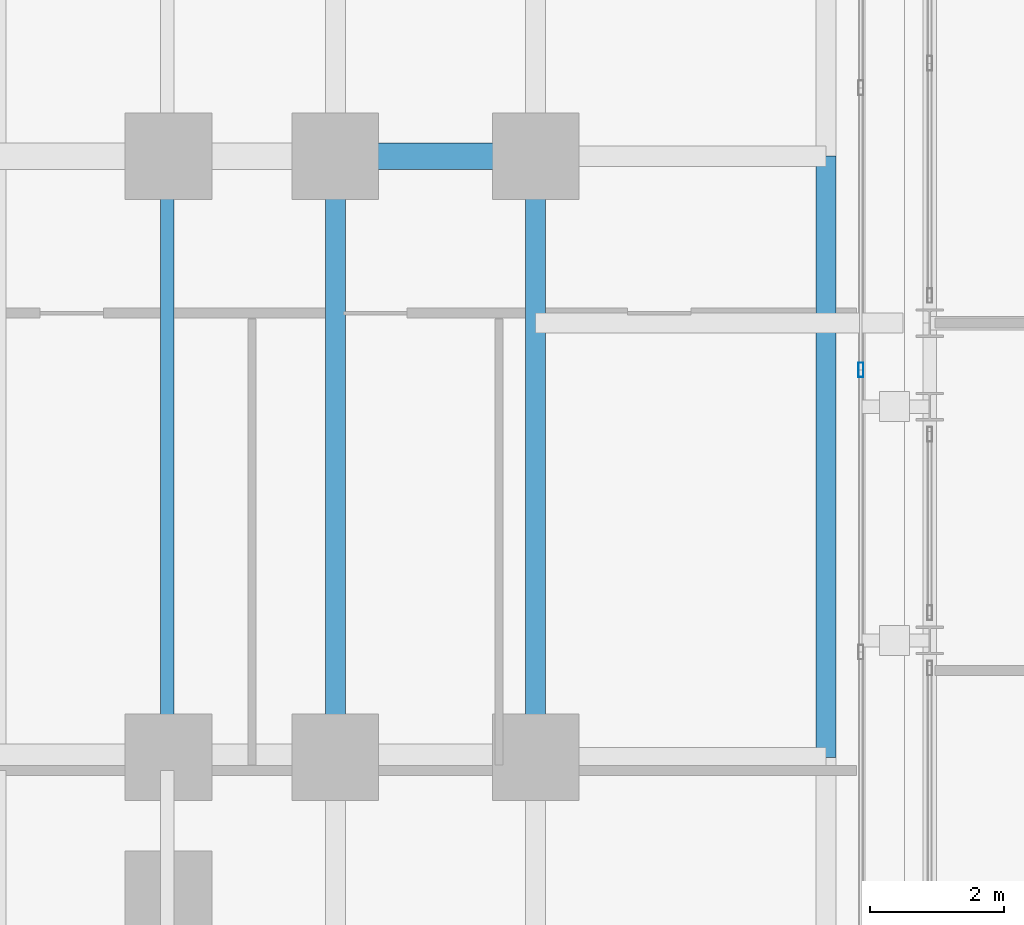
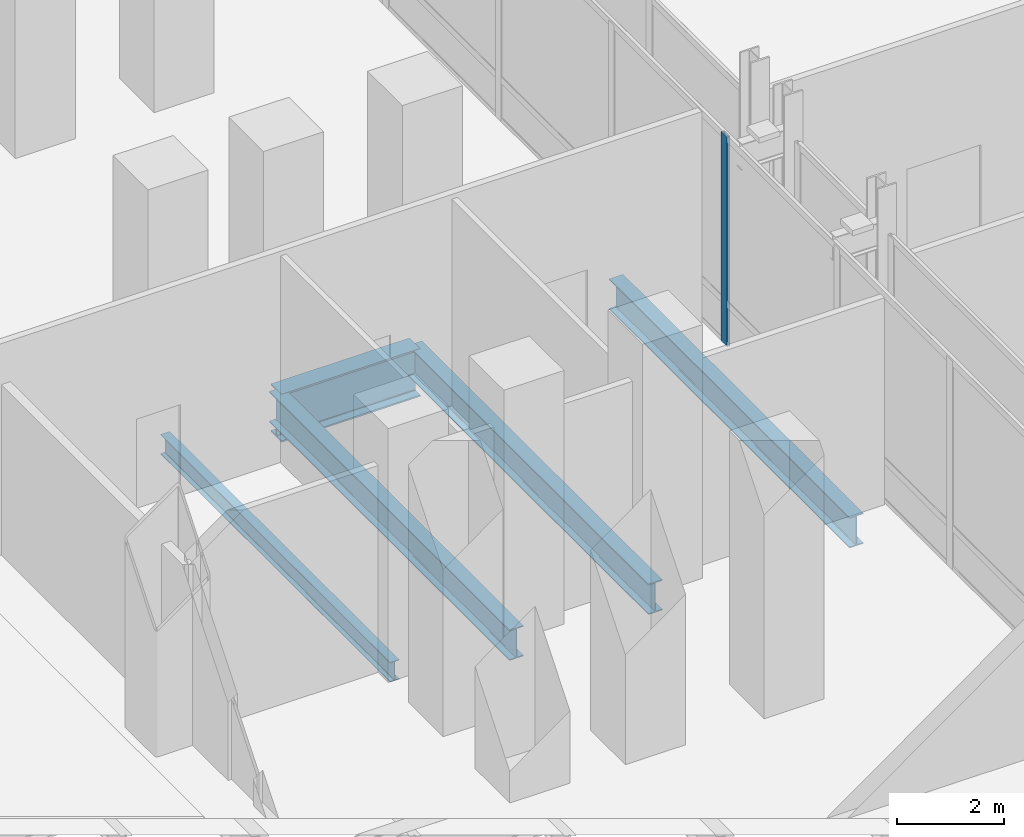
# One storey, part 12 of 36: 5 beams, 1 member, 1 element without a shape of its own.
"""IFC4 building model written with IfcOpenShell, lengths in metres."""

from ifc_helpers import new_model, si_unit, direction, frame, origin, origin_2d, place, context, subcontext, project, spatial, hollow_rectangle, i_section, extrude, material, material_profile, profile_set, type_object, element, aggregate, save


model = new_model("IFC4")

# Units and contexts
model_context = context("Model", 3, precision=1e-05, world=origin(), true_north=direction((0.0, 1.0)))
body_context = subcontext(model_context, "Body", "Model", "MODEL_VIEW")
ifc_project = project(units=[si_unit("LENGTHUNIT", "METRE"), si_unit("AREAUNIT", "SQUARE_METRE"), si_unit("VOLUMEUNIT", "CUBIC_METRE"), si_unit("PLANEANGLEUNIT", "RADIAN"), si_unit("MASSUNIT", "GRAM", prefix="KILO")], contexts=[model_context])

# Site, building, storey
site_placement = place(None, origin())
site = spatial("IfcSite", under=ifc_project, at=site_placement, CompositionType="ELEMENT")
building_placement = place(site_placement, origin())
building = spatial("IfcBuilding", under=site, at=building_placement, Name="Noeulbin Bourse Tower", CompositionType="ELEMENT")
storey_placement = place(building_placement, origin())
storey = spatial("IfcBuildingStorey", under=building, at=storey_placement, Name="L01", CompositionType="ELEMENT", Elevation=0.0)

# Beams
ifc_material_1 = material(Name="Steel S355", Category="steel")
ifc_material_profile_1 = material_profile(ifc_material_1, i_section(OverallWidth=0.300048828125, OverallDepth=0.699951171875, WebThickness=0.012939453125, FlangeThickness=0.02392578125, FilletRadius=0.02392578125, at=origin_2d()), Name="H-700x300x13x24", Category="LoadBearing")
ifc_profile_set_1 = profile_set([ifc_material_profile_1], Name="Steel S355")
beam_type_1 = type_object("IfcBeamType", Name="BM-GRD-700", PredefinedType="USERDEFINED", material=ifc_profile_set_1)
for number, where, z_axis, x_axis, name in (
    (1, (51.550048828125, 20.0, -0.60009765625), (0.0, 1.0, 0.0), (-1.0, 0.0, 0.0), "Podium Primary Girder NS L01-127"),
    (2, (54.550048828125, 20.0, -0.60009765625), (0.0, 1.0, 0.0), (-1.0, 0.0, 0.0), "Podium Primary Girder NS L01-135"),
    (3, (58.89990234375, 20.0, -0.60009765625), (0.0, 1.0, 0.0), (-1.0, 0.0, 0.0), "BM-L01-JNT-NS-3"),
):
    element("IfcBeam", number, at=place(storey_placement, frame(where, z_axis=z_axis, x_axis=x_axis)), inside=storey, type_object=beam_type_1, Name=name, ObjectType="GIRDER", PredefinedType="USERDEFINED", context=body_context, shape_type="SweptSolid", body=[
        extrude(i_section(OverallWidth=0.300048828125, OverallDepth=0.699951171875, WebThickness=0.012939453125, FlangeThickness=0.02392578125, FilletRadius=0.02392578125, at=origin_2d()), origin(), (0.0, 0.0, 1.0), 9.0),
    ])
ifc_material_profile_2 = material_profile(ifc_material_1, i_section(OverallWidth=0.199951171875, OverallDepth=0.449951171875, WebThickness=0.009033203125, FlangeThickness=0.013916015625, FilletRadius=0.01806640625, at=origin_2d()), Name="H-450x200x9x14", Category="LoadBearing")
ifc_profile_set_2 = profile_set([ifc_material_profile_2], Name="Steel S355")
beam_type_2 = type_object("IfcBeamType", Name="BM-SEC-450", PredefinedType="BEAM", material=ifc_profile_set_2)
beam_1_placement = place(storey_placement, frame((49.033203125, 20.199951171875, -0.47509765625), z_axis=(0.0, 1.0, 0.0), x_axis=(-1.0, 0.0, 0.0)))
element("IfcBeam", 4, at=beam_1_placement, inside=storey, type_object=beam_type_2, Name="Podium Secondary Beam L01-101", PredefinedType="BEAM", context=body_context, shape_type="SweptSolid", body=[
    extrude(i_section(OverallWidth=0.199951171875, OverallDepth=0.449951171875, WebThickness=0.009033203125, FlangeThickness=0.013916015625, FilletRadius=0.01806640625, at=origin_2d()), origin(), (0.0, 0.0, 1.0), 8.60009765625),
])
ifc_material_2 = material(Name="Steel S460", Category="steel")
ifc_material_profile_3 = material_profile(ifc_material_2, i_section(OverallWidth=0.39990234375, OverallDepth=1.10009765625, WebThickness=0.02001953125, FlangeThickness=0.035888671875, FilletRadius=0.02392578125, at=origin_2d()), Name="PG-1100x400x20x36", Category="LoadBearing")
ifc_profile_set_3 = profile_set([ifc_material_profile_3], Name="Steel S460")
beam_type_3 = type_object("IfcBeamType", Name="BM-TRF-1100", PredefinedType="USERDEFINED", material=ifc_profile_set_3)
beam_2_placement = place(storey_placement, frame((51.550048828125, 29.0, -0.800048828125), z_axis=(1.0, 0.0, 0.0), x_axis=(0.0, 1.0, 0.0)))
element("IfcBeam", 5, at=beam_2_placement, inside=storey, type_object=beam_type_3, Name="Podium Primary Girder EW L01-040", ObjectType="GIRDER", PredefinedType="USERDEFINED", context=body_context, shape_type="SweptSolid", body=[
    extrude(i_section(OverallWidth=0.39990234375, OverallDepth=1.10009765625, WebThickness=0.02001953125, FlangeThickness=0.035888671875, FilletRadius=0.02392578125, at=origin_2d()), origin(), (0.0, 0.0, 1.0), 3.0),
])

# Curtain wall, member
ifc_material_3 = material(Name="Laminated Clear Low-E Glass", Category="glass")
curtain_wall_type = type_object("IfcCurtainWallType", Name="CW-SYS-1", PredefinedType="NOTDEFINED", material=ifc_material_3)
curtain_wall_placement = place(storey_placement, origin())
curtain_wall = element("IfcCurtainWall", 6, at=curtain_wall_placement, inside=storey, type_object=curtain_wall_type, Name="Unitised Curtain Wall CW-L01-GAL-W", PredefinedType="NOTDEFINED")
ifc_material_4 = material(Name="Anodised Aluminium 6063-T6", Category="aluminium")
ifc_material_profile_4 = material_profile(ifc_material_4, hollow_rectangle(XDim=0.074951171875, YDim=0.219970703125, WallThickness=0.0048828125, InnerFilletRadius=0.00244140625, OuterFilletRadius=0.0048828125, at=origin_2d()), Name="ALU-MULL-75x220x5", Category="LoadBearing")
ifc_profile_set_4 = profile_set([ifc_material_profile_4], Name="Anodised Aluminium 6063-T6")
member_type = type_object("IfcMemberType", Name="CW-SYS-1-MUL", PredefinedType="MULLION", material=ifc_profile_set_4)
member_placement = place(storey_placement, frame((59.419921875, 25.800048828125, -0.02001953125), z_axis=(0.0, 0.0, 1.0), x_axis=(1.0, 0.0, 0.0)))
member = element("IfcMember", 7, at=member_placement, type_object=member_type, Name="Curtain Wall Mullion CW-L01-GAL-W-M06", PredefinedType="MULLION", context=body_context, shape_type="SweptSolid", body=[
    extrude(hollow_rectangle(XDim=0.074951171875, YDim=0.219970703125, WallThickness=0.0048828125, InnerFilletRadius=0.00244140625, OuterFilletRadius=0.0048828125, at=origin_2d()), origin(), (0.0, 0.0, 1.0), 4.7900390625),
])
aggregate(curtain_wall, [member])

save(model, "model.ifc")
